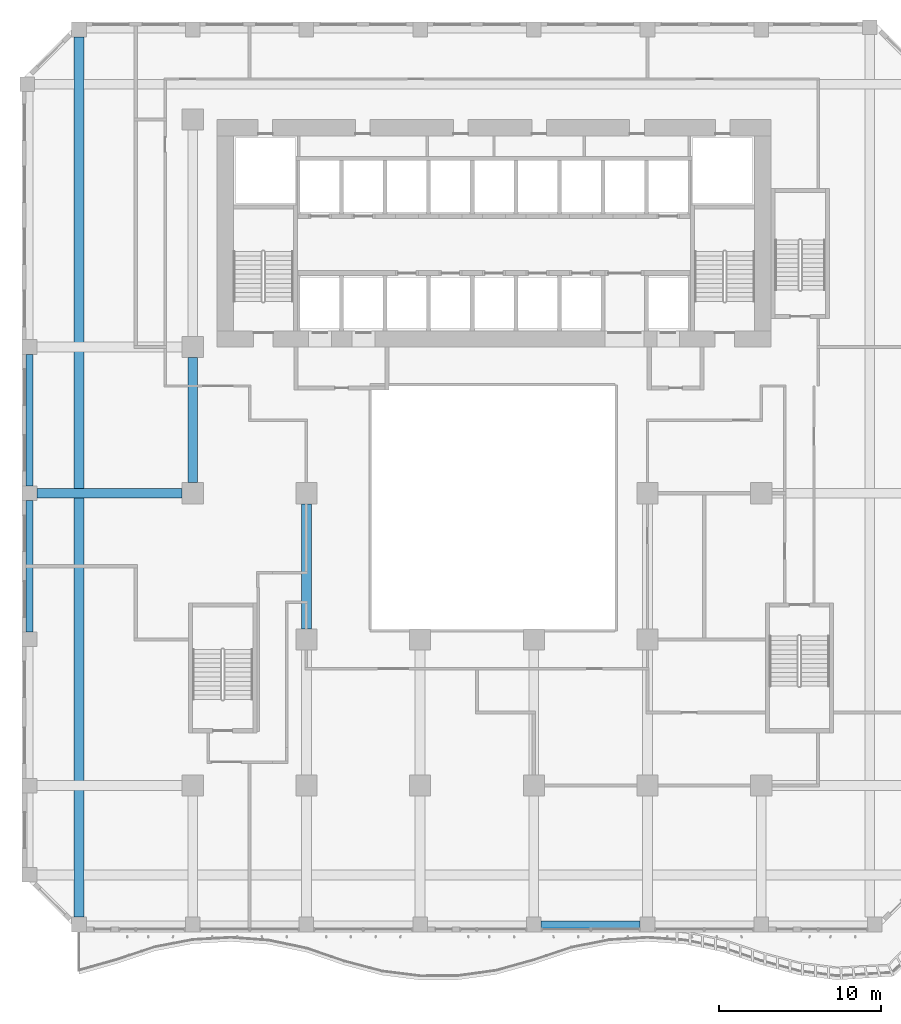
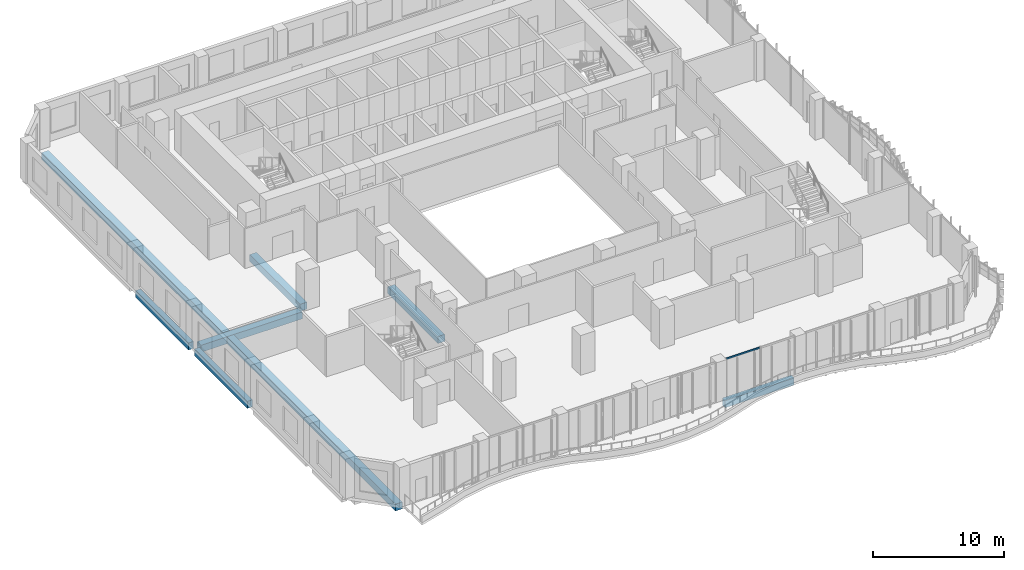
# One storey, part 5 of 26: 7 beams, 1 member, 1 element without a shape of its own.
"""IFC4 building model written with IfcOpenShell, lengths in metres."""

import ifcopenshell
import ifcopenshell.guid

model = None  # the IFC model being written
_history = None  # IfcOwnerHistory: only IFC2X3 demands one
_inside = {}  # id of a spatial element -> (the spatial element, [elements in it])
_under = {}  # id of a project, library or spatial element -> (it, [spatial elements below it])
_declared = {}  # id of a project -> (the project, [libraries it declares])
_typed = {}  # id of a type object -> (the type object, [elements of that type])
_made_of = {}  # id of a material, layer set ... -> (it, [elements and type objects made of it])


def new_model(schema):
    """Start an empty IFC model of exactly this schema.

    Asked for "IFC4X3", IfcOpenShell would pick the latest addendum, in which some entities
    have other attributes; the version numbers below select the first issue.
    IFC2X3 requires an IfcOwnerHistory on every rooted entity: one is made here for all.
    """
    global model, _history
    if schema == "IFC4X3":
        model = ifcopenshell.file(schema_version=(4, 3, 0, 0))
    else:
        model = ifcopenshell.file(schema=schema)
    _inside.clear()
    _under.clear()
    _declared.clear()
    _typed.clear()
    _made_of.clear()
    _history = None
    if model.schema == "IFC2X3":
        org = make("IfcOrganization", Name="unknown")
        user = make(
            "IfcPersonAndOrganization",
            ThePerson=make("IfcPerson", FamilyName="unknown"),
            TheOrganization=org,
        )
        app = make(
            "IfcApplication",
            ApplicationDeveloper=org,
            Version="unknown",
            ApplicationFullName="unknown",
            ApplicationIdentifier="unknown",
        )
        _history = make(
            "IfcOwnerHistory",
            OwningUser=user,
            OwningApplication=app,
            ChangeAction="ADDED",
            CreationDate=0,
        )
    return model


def make(cls, **values):
    """One entity of the class cls with the attributes given. An attribute that is None is left unset."""
    return model.create_entity(
        cls, **{name: value for name, value in values.items() if value is not None}
    )


def rooted(cls, **values):
    """An entity with a GlobalId (a new one), such as an element, a storey or a relation."""
    return make(cls, GlobalId=ifcopenshell.guid.new(), OwnerHistory=_history, **values)


def si_unit(unit_type, name, prefix=None):
    """IfcSIUnit, for example si_unit("LENGTHUNIT", "METRE", prefix="MILLI")."""
    return make("IfcSIUnit", UnitType=unit_type, Prefix=prefix, Name=name)


def assignment(units):
    """IfcUnitAssignment: the units of a project."""
    return None if units is None else make("IfcUnitAssignment", Units=units)


def point(xyz):
    """IfcCartesianPoint."""
    return None if xyz is None else make("IfcCartesianPoint", Coordinates=xyz)


def direction(xyz):
    """IfcDirection."""
    return None if xyz is None else make("IfcDirection", DirectionRatios=xyz)


def frame(location, z_axis=None, x_axis=None):
    """IfcAxis2Placement3D, a coordinate frame: its origin and axes. An axis left out is left unset."""
    return make(
        "IfcAxis2Placement3D",
        Location=point(location),
        Axis=direction(z_axis),
        RefDirection=direction(x_axis),
    )


def frame_2d(location, x_axis=None):
    """IfcAxis2Placement2D, a coordinate frame in the plane: its origin and x axis."""
    return make(
        "IfcAxis2Placement2D", Location=point(location), RefDirection=direction(x_axis)
    )


def origin():
    """The frame at (0, 0, 0) with its axes left unset."""
    return frame((0.0, 0.0, 0.0))


def origin_2d():
    """The frame at (0, 0) in the plane with its x axis left unset."""
    return frame_2d((0.0, 0.0))


def place(relative_to, where):
    """IfcLocalPlacement: puts the frame where relative to a parent placement (None: the world)."""
    return make(
        "IfcLocalPlacement", PlacementRelTo=relative_to, RelativePlacement=where
    )


def context(
    kind, dimensions, precision=None, world=None, true_north=None, identifier=None
):
    """IfcGeometricRepresentationContext, for example the 3D "Model" context."""
    return make(
        "IfcGeometricRepresentationContext",
        ContextIdentifier=identifier,
        ContextType=kind,
        CoordinateSpaceDimension=dimensions,
        Precision=precision,
        WorldCoordinateSystem=world,
        TrueNorth=true_north,
    )


def subcontext(parent, identifier, kind, view, scale=None):
    """IfcGeometricRepresentationSubContext, for example "Body" below "Model"."""
    return make(
        "IfcGeometricRepresentationSubContext",
        ContextIdentifier=identifier,
        ContextType=kind,
        ParentContext=parent,
        TargetScale=scale,
        TargetView=view,
    )


def project(units=None, contexts=None):
    """IfcProject with its units and contexts."""
    return rooted(
        "IfcProject",
        Name="project",
        RepresentationContexts=contexts,
        UnitsInContext=assignment(units),
    )


def spatial(cls, under=None, at=None, **own):
    """A site, building, storey or space (cls), placed at a placement, below another one or the project."""
    s = rooted(cls, ObjectPlacement=at, **own)
    if under is not None:
        _under.setdefault(under.id(), (under, []))[1].append(s)
    return s


def profile(cls, at=None, kind="AREA", **sizes):
    """A parametric profile (cls). Its sizes go by their IFC names, for example OverallWidth=200.0."""
    return make(cls, ProfileType=kind, Position=at, **sizes)


def rectangle(**sizes):
    """IfcRectangleProfileDef."""
    return profile("IfcRectangleProfileDef", **sizes)


def extrude(swept, where, along, depth):
    """IfcExtrudedAreaSolid: the profile swept, set in the frame where, extruded along a direction by depth."""
    return make(
        "IfcExtrudedAreaSolid",
        SweptArea=swept,
        Position=where,
        ExtrudedDirection=direction(along),
        Depth=depth,
    )


def shape(context_of_items, identifier, shape_type, items):
    """IfcShapeRepresentation: the items that make up one representation, for example the "Body"."""
    return make(
        "IfcShapeRepresentation",
        ContextOfItems=context_of_items,
        RepresentationIdentifier=identifier,
        RepresentationType=shape_type,
        Items=items,
    )


def source(mapping_origin, context_of_items, identifier, shape_type, items):
    """IfcRepresentationMap: a shape defined once, which mapped items show again and again."""
    return make(
        "IfcRepresentationMap",
        MappingOrigin=mapping_origin,
        MappedRepresentation=shape(context_of_items, identifier, shape_type, items),
    )


def transform(
    local_origin,
    x_axis=None,
    y_axis=None,
    z_axis=None,
    scale=None,
    scale2=None,
    scale3=None,
    uniform=True,
):
    """IfcCartesianTransformationOperator3D, or its non-uniform kind. x_axis, y_axis, z_axis: its Axis1, 2, 3."""
    if uniform:
        return make(
            "IfcCartesianTransformationOperator3D",
            Axis1=direction(x_axis),
            Axis2=direction(y_axis),
            LocalOrigin=point(local_origin),
            Scale=scale,
            Axis3=direction(z_axis),
        )
    return make(
        "IfcCartesianTransformationOperator3DnonUniform",
        Axis1=direction(x_axis),
        Axis2=direction(y_axis),
        LocalOrigin=point(local_origin),
        Scale=scale,
        Axis3=direction(z_axis),
        Scale2=scale2,
        Scale3=scale3,
    )


def mapped(mapping_source, mapping_target):
    """IfcMappedItem: shows the shape of a source again, moved by a transform."""
    return make(
        "IfcMappedItem", MappingSource=mapping_source, MappingTarget=mapping_target
    )


def material(Name=None, Category=None):
    """IfcMaterial."""
    return make("IfcMaterial", Name=Name, Category=Category)


def material_profile(
    of_material, cross_section, Name=None, Category=None, Priority=None
):
    """IfcMaterialProfile: a cross section and its material."""
    return make(
        "IfcMaterialProfile",
        Name=Name,
        Material=of_material,
        Profile=cross_section,
        Priority=Priority,
        Category=Category,
    )


def profile_set(profiles, Name=None, composite=None):
    """IfcMaterialProfileSet."""
    return make(
        "IfcMaterialProfileSet",
        Name=Name,
        MaterialProfiles=profiles,
        CompositeProfile=composite,
    )


def made_of(thing, what):
    """Note that an element or type object is made of a material, layer set ...; save() writes the relation."""
    if what is not None:
        _made_of.setdefault(what.id(), (what, []))[1].append(thing)
    return thing


def type_object(cls, material=None, **own):
    """A type object (cls), such as IfcWallType, which elements share."""
    return made_of(rooted(cls, **own), material)


def element(
    cls,
    number,
    at=None,
    inside=None,
    cuts=None,
    type_object=None,
    material=None,
    context=None,
    identifier="Body",
    shape_type=None,
    held_by="IfcProductDefinitionShape",
    body=None,
    shapes=None,
    **own,
):
    """One element of the class cls, such as IfcWall. Its Tag is "e" and its number.

    at: its placement. inside: the storey or other place that contains it. cuts: it is an
    opening in that element (IfcRelVoidsElement). A single representation is given by context,
    identifier, shape_type and body (its items); several are given by shapes. held_by: the class
    of the entity that holds the representations. save() writes the other relations.
    """
    e = rooted(cls, Tag="e%d" % number, ObjectPlacement=at, **own)
    if body is not None:
        shapes = [shape(context, identifier, shape_type, body)]
    if shapes is not None:
        e.Representation = make(held_by, Representations=shapes)
    if inside is not None:
        _inside.setdefault(inside.id(), (inside, []))[1].append(e)
    if cuts is not None:
        rooted(
            "IfcRelVoidsElement", RelatingBuildingElement=cuts, RelatedOpeningElement=e
        )
    if type_object is not None:
        _typed.setdefault(type_object.id(), (type_object, []))[1].append(e)
    return made_of(e, material)


def aggregate(whole, parts):
    """IfcRelAggregates: a whole, such as a stair, and the parts it consists of."""
    return rooted("IfcRelAggregates", RelatingObject=whole, RelatedObjects=parts)


def save(model, path):
    """Write the relations noted so far, then the file.

    IfcRelAggregates (storeys below a building ...), IfcRelContainedInSpatialStructure (elements
    in a storey), IfcRelDefinesByType, IfcRelAssociatesMaterial and IfcRelDeclares: one each for
    every whole, place, type object, material and project.
    """
    for whole, parts in _under.values():
        aggregate(whole, parts)
    for where, things in _inside.values():
        rooted(
            "IfcRelContainedInSpatialStructure",
            RelatedElements=things,
            RelatingStructure=where,
        )
    for kind, things in _typed.values():
        rooted("IfcRelDefinesByType", RelatedObjects=things, RelatingType=kind)
    for what, things in _made_of.values():
        rooted("IfcRelAssociatesMaterial", RelatedObjects=things, RelatingMaterial=what)
    for by, libraries in _declared.values():
        rooted("IfcRelDeclares", RelatingContext=by, RelatedDefinitions=libraries)
    model.write(path)


model = new_model("IFC4")

# Units and contexts
model_context = context("Model", 3, precision=1e-05, world=origin(), true_north=direction((0.0, 1.0)))
body_context = subcontext(model_context, "Body", "Model", "MODEL_VIEW")
ifc_project = project(units=[si_unit("LENGTHUNIT", "METRE"), si_unit("AREAUNIT", "SQUARE_METRE"), si_unit("VOLUMEUNIT", "CUBIC_METRE"), si_unit("PLANEANGLEUNIT", "RADIAN"), si_unit("MASSUNIT", "GRAM", prefix="KILO")], contexts=[model_context])

# Site, building, storey
site_placement = place(None, origin())
site = spatial("IfcSite", under=ifc_project, at=site_placement, CompositionType="ELEMENT")
building_placement = place(site_placement, origin())
building = spatial("IfcBuilding", under=site, at=building_placement, Name="Kilnfold Tower and Market Hall", CompositionType="ELEMENT")
storey_placement = place(building_placement, frame((0.0, 0.0, 31.0)))
storey = spatial("IfcBuildingStorey", under=building, at=storey_placement, Name="L06", CompositionType="ELEMENT", Elevation=31.0)

# Beams
ifc_material_1 = material(Name="Concrete C45", Category="concrete")
ifc_material_profile_1 = material_profile(ifc_material_1, rectangle(XDim=0.449951171875, YDim=0.64990234375, at=origin_2d()), Name="RC 450x650")
ifc_profile_set_1 = profile_set([ifc_material_profile_1], Name="Concrete C45")
beam_type_1 = type_object("IfcBeamType", Name="EDGE BEAM 450X650 C45", PredefinedType="BEAM", material=ifc_profile_set_1)
shared_shape_1 = source(origin(), body_context, "Body", "SweptSolid", [
    extrude(rectangle(XDim=0.449951171875, YDim=0.64990234375, at=origin_2d()), origin(), (0.0, 0.0, 1.0), 6.10009765625),
])
beam_1_placement = place(storey_placement, frame((3.949951171875, -27.550048828125, -0.60498046875), z_axis=(1.0, 0.0, 0.0), x_axis=(0.0, 1.0, 0.0)))
element("IfcBeam", 1, at=beam_1_placement, inside=storey, type_object=beam_type_1, Name="Beam EB650-B1.4", PredefinedType="BEAM", context=body_context, shape_type="MappedRepresentation", body=[
    mapped(shared_shape_1, transform((0.0, 0.0, 0.0))),
])
ifc_material_2 = material(Name="Concrete C45", Category="concrete")
ifc_material_profile_2 = material_profile(ifc_material_2, rectangle(XDim=0.60009765625, YDim=0.64990234375, at=origin_2d()), Name="RC 600x650")
ifc_profile_set_2 = profile_set([ifc_material_profile_2], Name="Concrete C45")
beam_type_2 = type_object("IfcBeamType", Name="BEAM 600X650 C45", PredefinedType="BEAM", material=ifc_profile_set_2)
shared_shape_2 = source(origin(), body_context, "Body", "SweptSolid", [
    extrude(rectangle(XDim=0.60009765625, YDim=0.64990234375, at=origin_2d()), origin(), (0.0, 0.0, 1.0), 8.9501953125),
])
beam_2_placement = place(storey_placement, frame((-27.10009765625, -1.0, -0.60498046875), z_axis=(1.0, 0.0, 0.0), x_axis=(0.0, 1.0, 0.0)))
element("IfcBeam", 2, at=beam_2_placement, inside=storey, type_object=beam_type_2, Name="Beam BB650-B1.16", PredefinedType="BEAM", context=body_context, shape_type="MappedRepresentation", body=[
    mapped(shared_shape_2, transform((0.0, 0.0, 0.0))),
])
shared_shape_3 = source(origin(), body_context, "Body", "SweptSolid", [
    extrude(rectangle(XDim=0.449951171875, YDim=0.64990234375, at=origin_2d()), origin(), (0.0, 0.0, 1.0), 8.10009765625),
])
for number, where, z_axis, x_axis, name in (
    (3, (-27.550048828125, -9.550048828125, -0.60498046875), (0.0, 1.0, 0.0), (-1.0, 0.0, 0.0), "Beam EB650-B1.32"),
    (4, (-27.550048828125, -0.550048828125, -0.60498046875), (0.0, 1.0, 0.0), (-1.0, 0.0, 0.0), "Beam EB650-B1.33"),
):
    element("IfcBeam", number, at=place(storey_placement, frame(where, z_axis=z_axis, x_axis=x_axis)), inside=storey, type_object=beam_type_1, Name=name, PredefinedType="BEAM", context=body_context, shape_type="MappedRepresentation", body=[
        mapped(shared_shape_3, transform((0.0, 0.0, 0.0))),
    ])
shared_shape_4 = source(origin(), body_context, "Body", "SweptSolid", [
    extrude(rectangle(XDim=0.60009765625, YDim=0.64990234375, at=origin_2d()), origin(), (0.0, 0.0, 1.0), 54.2001953125),
])
beam_3_placement = place(storey_placement, frame((-24.5, -27.10009765625, -0.60498046875), z_axis=(0.0, 1.0, 0.0), x_axis=(-1.0, 0.0, 0.0)))
element("IfcBeam", 5, at=beam_3_placement, inside=storey, type_object=beam_type_2, Name="Beam BB650-B1.35", PredefinedType="BEAM", context=body_context, shape_type="MappedRepresentation", body=[
    mapped(shared_shape_4, transform((0.0, 0.0, 0.0))),
])
shared_shape_5 = source(origin(), body_context, "Body", "SweptSolid", [
    extrude(rectangle(XDim=0.60009765625, YDim=0.64990234375, at=origin_2d()), origin(), (0.0, 0.0, 1.0), 7.7001953125),
])
for number, where, z_axis, x_axis, name in (
    (6, (-17.5, -0.35009765625, -0.60498046875), (0.0, 1.0, 0.0), (-1.0, 0.0, 0.0), "Beam BB650-B1.37"),
    (7, (-10.5, -9.35009765625, -0.60498046875), (0.0, 1.0, 0.0), (-1.0, 0.0, 0.0), "Beam BB650-B1.42"),
):
    element("IfcBeam", number, at=place(storey_placement, frame(where, z_axis=z_axis, x_axis=x_axis)), inside=storey, type_object=beam_type_2, Name=name, PredefinedType="BEAM", context=body_context, shape_type="MappedRepresentation", body=[
        mapped(shared_shape_5, transform((0.0, 0.0, 0.0))),
    ])

# Curtain wall, member
ifc_material_3 = material(Name="Aluminium and double glazing", Category="aluminium")
curtain_wall_type = type_object("IfcCurtainWallType", Name="CW OF1 VALLEY GLAZING", PredefinedType="NOTDEFINED", material=ifc_material_3)
curtain_wall_placement = place(storey_placement, origin())
curtain_wall = element("IfcCurtainWall", 8, at=curtain_wall_placement, inside=storey, type_object=curtain_wall_type, Name="Curtain wall CW1 L06 S", PredefinedType="NOTDEFINED")
ifc_material_4 = material(Name="Aluminium", Category="aluminium")
ifc_material_profile_3 = material_profile(ifc_material_4, rectangle(XDim=0.06005859375, YDim=0.139892578125, at=origin_2d()), Name="TRANSOM 60x140")
ifc_profile_set_3 = profile_set([ifc_material_profile_3], Name="Aluminium")
member_type = type_object("IfcMemberType", Name="TRANSOM 60X140", PredefinedType="USERDEFINED", material=ifc_profile_set_3)
shared_shape_6 = source(origin(), body_context, "Body", "SweptSolid", [
    extrude(rectangle(XDim=0.06005859375, YDim=0.139892578125, at=origin_2d()), origin(), (0.0, 0.0, 1.0), 2.929931640625),
])
member_placement = place(storey_placement, frame((4.010009765625, -27.85009765625, 3.68994140625), z_axis=(1.0, 0.0, 0.0), x_axis=(0.0, 1.0, 0.0)))
member = element("IfcMember", 9, at=member_placement, type_object=member_type, Name="CW1 transom 1.2", ObjectType="TRANSOM", PredefinedType="USERDEFINED", context=body_context, shape_type="MappedRepresentation", body=[
    mapped(shared_shape_6, transform((0.0, 0.0, 0.0))),
])
aggregate(curtain_wall, [member])

save(model, "model.ifc")
